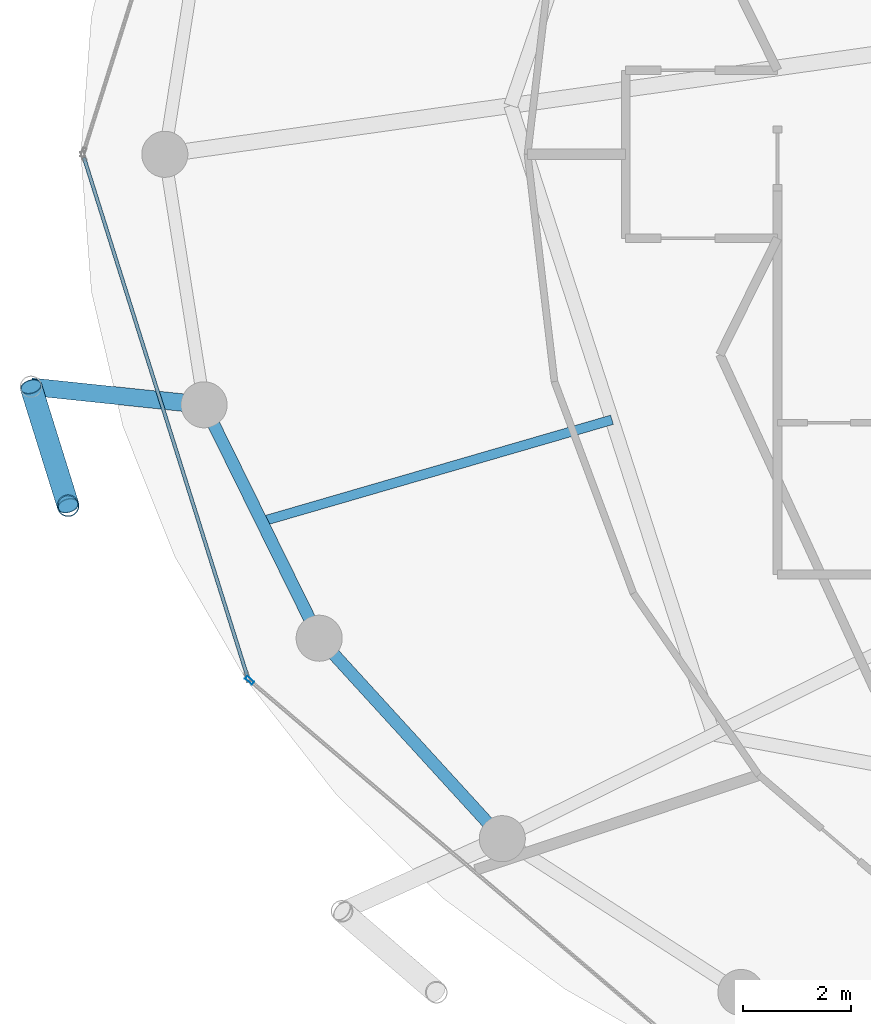
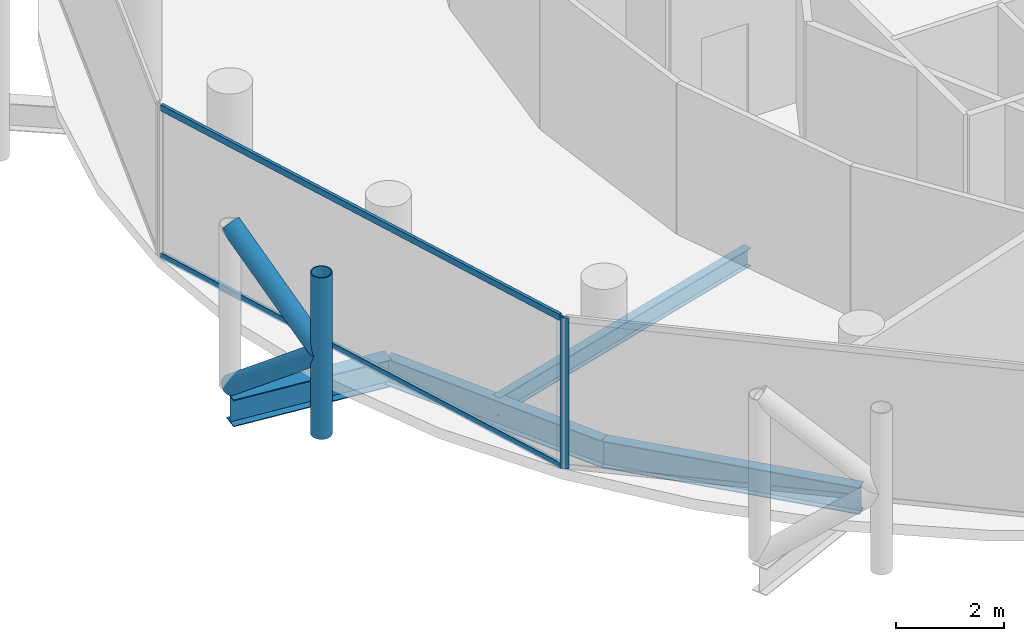
# One storey, part 3 of 27: 6 members, 4 beams, 2 elements without a shape of their own.
"""IFC4 building model written with IfcOpenShell, lengths in metres."""

from ifc_helpers import new_model, si_unit, direction, frame, origin, origin_2d, place, context, subcontext, project, spatial, hollow_rectangle, hollow_circle, i_section, extrude, material, layer, layer_set, material_profile, profile_set, type_object, element, aggregate, save


model = new_model("IFC4")

# Units and contexts
model_context = context("Model", 3, precision=1e-05, world=origin(), true_north=direction((0.0, 1.0)))
body_context = subcontext(model_context, "Body", "Model", "MODEL_VIEW")
ifc_project = project(units=[si_unit("LENGTHUNIT", "METRE"), si_unit("AREAUNIT", "SQUARE_METRE"), si_unit("VOLUMEUNIT", "CUBIC_METRE"), si_unit("PLANEANGLEUNIT", "RADIAN"), si_unit("MASSUNIT", "GRAM", prefix="KILO")], contexts=[model_context])

# Site, building, storey
site_placement = place(None, origin())
site = spatial("IfcSite", under=ifc_project, at=site_placement, CompositionType="ELEMENT")
building_placement = place(site_placement, origin())
building = spatial("IfcBuilding", under=site, at=building_placement, Name="Nuhasar Tower", CompositionType="ELEMENT")
storey_placement = place(building_placement, frame((0.0, 0.0, 237.35009765625)))
storey = spatial("IfcBuildingStorey", under=building, at=storey_placement, Name="L58", CompositionType="ELEMENT", Elevation=237.35009765625)

# Beams
ifc_material_1 = material(Name="Steel S355", Category="steel")
ifc_material_profile_1 = material_profile(ifc_material_1, i_section(OverallWidth=0.177978515625, OverallDepth=0.406005859375, WebThickness=0.0078125, FlangeThickness=0.0126953125, at=origin_2d()), Name="W16X40")
ifc_profile_set_1 = profile_set([ifc_material_profile_1], Name="Steel S355")
beam_type_1 = type_object("IfcBeamType", Name="BM-JST-W16X40", PredefinedType="JOIST", material=ifc_profile_set_1)
beam_1_placement = place(storey_placement, frame((25.9970703125, 21.904052734375, -0.443115234375), z_axis=(-0.960312689798, -0.27892568511, 0.0), x_axis=(0.27892568511, -0.960312689798, 0.0)))
element("IfcBeam", 1, at=beam_1_placement, inside=storey, type_object=beam_type_1, Name="L58 Secondary Floor Joist 08", PredefinedType="JOIST", context=body_context, shape_type="SweptSolid", body=[
    extrude(i_section(OverallWidth=0.177978515625, OverallDepth=0.406005859375, WebThickness=0.0078125, FlangeThickness=0.0126953125, at=origin_2d()), origin(), (0.0, 0.0, 1.0), 6.729248046875),
])
ifc_material_profile_2 = material_profile(ifc_material_1, i_section(OverallWidth=0.22802734375, OverallDepth=0.60791015625, WebThickness=0.01123046875, FlangeThickness=0.017333984375, at=origin_2d()), Name="W24X76")
ifc_profile_set_2 = profile_set([ifc_material_profile_2], Name="Steel S355")
beam_type_2 = type_object("IfcBeamType", Name="BM-RING-W24X76", PredefinedType="SPANDREL", material=ifc_profile_set_2)
beam_2_placement = place(storey_placement, frame((18.47412109375, 22.179931640625, -0.544189453125), z_axis=(0.442262779282, -0.896885518928, 0.0), x_axis=(0.896885518928, 0.442262779282, 0.0)))
element("IfcBeam", 2, at=beam_2_placement, inside=storey, type_object=beam_type_2, Name="L58 Perimeter Ring Spandrel 14", PredefinedType="SPANDREL", context=body_context, shape_type="SweptSolid", body=[
    extrude(i_section(OverallWidth=0.22802734375, OverallDepth=0.60791015625, WebThickness=0.01123046875, FlangeThickness=0.017333984375, at=origin_2d()), origin(), (0.0, 0.0, 1.0), 4.7998046875),
])
beam_3_placement = place(storey_placement, frame((20.596923828125, 17.875, -0.544189453125), z_axis=(0.674449692975, -0.738320805373, 0.0), x_axis=(0.738320805373, 0.674449692975, 0.0)))
element("IfcBeam", 3, at=beam_3_placement, inside=storey, type_object=beam_type_2, Name="L58 Perimeter Ring Spandrel 15", PredefinedType="SPANDREL", context=body_context, shape_type="SweptSolid", body=[
    extrude(i_section(OverallWidth=0.22802734375, OverallDepth=0.60791015625, WebThickness=0.01123046875, FlangeThickness=0.017333984375, at=origin_2d()), origin(), (0.0, 0.0, 1.0), 5.00732421875),
])
ifc_material_profile_3 = material_profile(ifc_material_1, i_section(OverallWidth=0.323974609375, OverallDepth=0.611083984375, WebThickness=0.0126953125, FlangeThickness=0.01904296875, at=origin_2d()), Name="W24X104")
ifc_profile_set_3 = profile_set([ifc_material_profile_3], Name="Steel S355")
beam_type_3 = type_object("IfcBeamType", Name="BM-TIE-W24X104", PredefinedType="BEAM", material=ifc_profile_set_3)
beam_4_placement = place(storey_placement, frame((18.47412109375, 22.179931640625, -0.545166015625), z_axis=(-0.994571111079, 0.10405914187, 0.0), x_axis=(-0.10405914187, -0.994571111079, 0.0)))
element("IfcBeam", 4, at=beam_4_placement, inside=storey, type_object=beam_type_3, Name="L58 Exoskeleton Node Tie Beam 07", PredefinedType="BEAM", context=body_context, shape_type="SweptSolid", body=[
    extrude(i_section(OverallWidth=0.323974609375, OverallDepth=0.611083984375, WebThickness=0.0126953125, FlangeThickness=0.01904296875, at=origin_2d()), origin(), (0.0, 0.0, 1.0), 3.20947265625),
])

# Curtain wall, member
ifc_material_2 = material(Name="Aluminium 6063-T6", Category="aluminium")
ifc_layer = layer(ifc_material_2, 0.18994140625)
ifc_layer_set = layer_set([ifc_layer], Name="Aluminium 6063-T6")
curtain_wall_type = type_object("IfcCurtainWallType", Name="CW-Z3-RES", PredefinedType="NOTDEFINED", material=ifc_layer_set)
curtain_wall_1_placement = place(storey_placement, origin())
curtain_wall_1 = element("IfcCurtainWall", 5, at=curtain_wall_1_placement, inside=storey, type_object=curtain_wall_type, Name="L58 Unitised Curtain Wall 08", PredefinedType="NOTDEFINED")
ifc_material_profile_4 = material_profile(ifc_material_2, hollow_rectangle(XDim=0.06494140625, YDim=0.169921875, WallThickness=0.0048828125, at=origin_2d()), Name="CWM-4")
ifc_profile_set_4 = profile_set([ifc_material_profile_4], Name="Aluminium 6063-T6")
member_type_1 = type_object("IfcMemberType", Name="CW-MUL-S4", PredefinedType="MULLION", material=ifc_profile_set_4)
member_1_placement = place(storey_placement, frame((19.313720703125, 17.098876953125, 0.0), z_axis=(0.0, 0.0, 1.0), x_axis=(0.64789521578, 0.761729472562, 0.0)))
member_1 = element("IfcMember", 6, at=member_1_placement, type_object=member_type_1, Name="CW-Z3 mullion 1", PredefinedType="MULLION", context=body_context, shape_type="SweptSolid", body=[
    extrude(hollow_rectangle(XDim=0.06494140625, YDim=0.169921875, WallThickness=0.0048828125, at=origin_2d()), origin(), (0.0, 0.0, 1.0), 3.409912109375),
])
aggregate(curtain_wall_1, [member_1])

# Curtain wall, members
curtain_wall_2_placement = place(storey_placement, origin())
curtain_wall_2 = element("IfcCurtainWall", 7, at=curtain_wall_2_placement, inside=storey, type_object=curtain_wall_type, Name="L58 Unitised Curtain Wall 07", PredefinedType="NOTDEFINED")
ifc_material_profile_5 = material_profile(ifc_material_2, hollow_rectangle(XDim=0.06494140625, YDim=0.139892578125, WallThickness=0.00439453125, at=origin_2d()), Name="CWT-4")
ifc_profile_set_5 = profile_set([ifc_material_profile_5], Name="Aluminium 6063-T6")
member_type_2 = type_object("IfcMemberType", Name="CW-TRN-S4", PredefinedType="USERDEFINED", material=ifc_profile_set_5)
member_2_placement = place(storey_placement, frame((16.259521484375, 26.738037109375, 0.032470703125), z_axis=(0.300430390604, -0.953803743126, 0.0), x_axis=(0.953803743126, 0.300430390604, 0.0)))
member_2 = element("IfcMember", 8, at=member_2_placement, type_object=member_type_2, Name="CW-Z3 transom 1.1", ObjectType="TRANSOM", PredefinedType="USERDEFINED", context=body_context, shape_type="SweptSolid", body=[
    extrude(hollow_rectangle(XDim=0.06494140625, YDim=0.139892578125, WallThickness=0.00439453125, at=origin_2d()), origin(), (0.0, 0.0, 1.0), 10.01904296875),
])
member_3_placement = place(storey_placement, frame((16.259521484375, 26.738037109375, 3.37744140625), z_axis=(0.300430390604, -0.953803743126, 0.0), x_axis=(0.953803743126, 0.300430390604, 0.0)))
member_3 = element("IfcMember", 9, at=member_3_placement, type_object=member_type_2, Name="CW-Z3 transom 1.2", ObjectType="TRANSOM", PredefinedType="USERDEFINED", context=body_context, shape_type="SweptSolid", body=[
    extrude(hollow_rectangle(XDim=0.06494140625, YDim=0.139892578125, WallThickness=0.00439453125, at=origin_2d()), origin(), (0.0, 0.0, 1.0), 10.01904296875),
])
aggregate(curtain_wall_2, [member_2, member_3])

# Members
ifc_material_3 = material(Name="Steel S460", Category="steel")
ifc_material_profile_6 = material_profile(ifc_material_3, hollow_circle(Radius=0.203125, WallThickness=0.01904296875, at=origin_2d()), Name="HSS406.4X19.1")
ifc_profile_set_6 = profile_set([ifc_material_profile_6], Name="Steel S460")
member_type_3 = type_object("IfcMemberType", Name="EXO-BRONZE-406", PredefinedType="BRACE", material=ifc_profile_set_6)
member_4_placement = place(storey_placement, frame((15.967041015625, 20.319091796875, 0.0), z_axis=(0.0, 0.0, 1.0), x_axis=(1.0, 0.0, 0.0)))
element("IfcMember", 10, at=member_4_placement, inside=storey, type_object=member_type_3, Name="L58 Exoskeleton Chord Column EC-07B", PredefinedType="BRACE", context=body_context, shape_type="SweptSolid", body=[
    extrude(hollow_circle(Radius=0.203125, WallThickness=0.01904296875, at=origin_2d()), origin(), (0.0, 0.0, 1.0), 3.64990234375),
])
for number, where, z_axis, x_axis, name in (
    (11, (15.281982421875, 22.513916015625, 0.0), (0.233372423355, -0.747689980743, 0.621688832709), (0.954581948223, 0.297948492404, 0.0), "L58 Bronze Diagrid Brace W1-07"),
    (12, (15.967041015625, 20.319091796875, 1.824951171875), (-0.233372423355, 0.747689980743, 0.621688832709), (-0.954581948223, -0.297948492404, 0.0), "L58 Bronze Diagrid Brace W2-07"),
):
    element("IfcMember", number, at=place(storey_placement, frame(where, z_axis=z_axis, x_axis=x_axis)), inside=storey, type_object=member_type_3, Name=name, PredefinedType="BRACE", context=body_context, shape_type="SweptSolid", body=[
        extrude(hollow_circle(Radius=0.203125, WallThickness=0.01904296875, at=origin_2d()), origin(), (0.0, 0.0, 1.0), 2.935546875),
    ])

save(model, "model.ifc")
